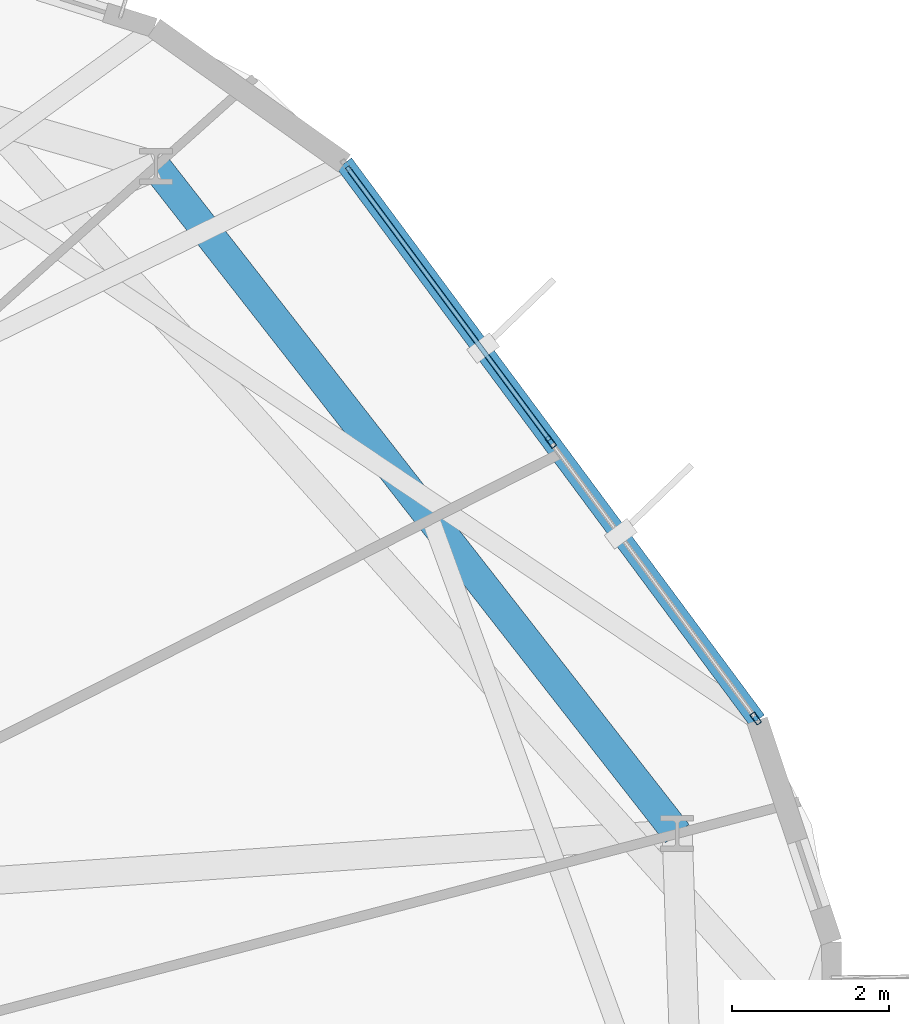
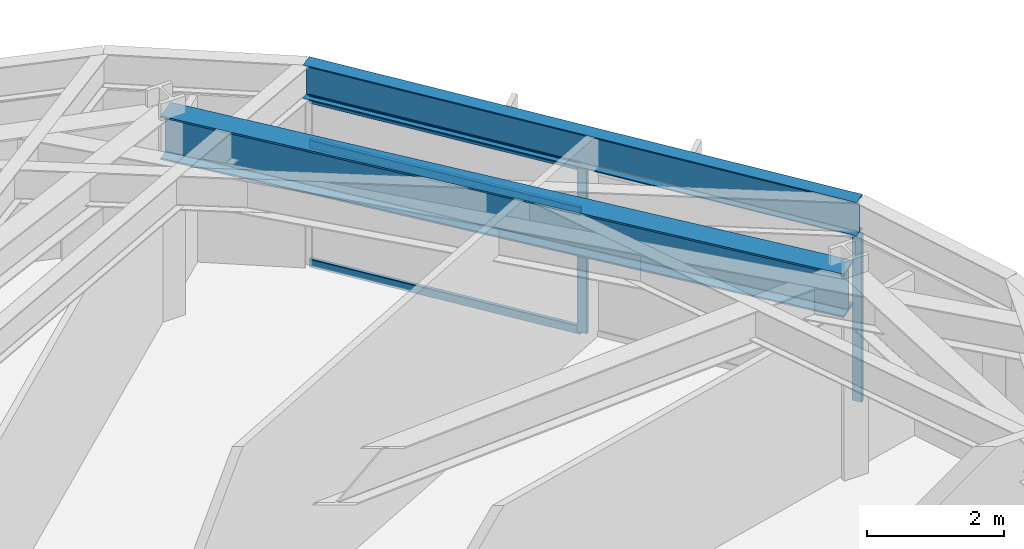
# One storey, part 16 of 27: 5 members, 2 beams, 1 element without a shape of its own.
"""IFC4 building model written with IfcOpenShell, lengths in metres."""

from ifc_helpers import new_model, si_unit, direction, frame, origin, origin_2d, place, context, subcontext, project, spatial, hollow_rectangle, i_section, extrude, material, layer, layer_set, material_profile, profile_set, type_object, element, aggregate, save


model = new_model("IFC4")

# Units and contexts
model_context = context("Model", 3, precision=1e-05, world=origin(), true_north=direction((0.0, 1.0)))
body_context = subcontext(model_context, "Body", "Model", "MODEL_VIEW")
ifc_project = project(units=[si_unit("LENGTHUNIT", "METRE"), si_unit("AREAUNIT", "SQUARE_METRE"), si_unit("VOLUMEUNIT", "CUBIC_METRE"), si_unit("PLANEANGLEUNIT", "RADIAN"), si_unit("MASSUNIT", "GRAM", prefix="KILO")], contexts=[model_context])

# Site, building, storey
site_placement = place(None, origin())
site = spatial("IfcSite", under=ifc_project, at=site_placement, CompositionType="ELEMENT")
building_placement = place(site_placement, origin())
building = spatial("IfcBuilding", under=site, at=building_placement, Name="Soratama Intermodal Tower", CompositionType="ELEMENT")
storey_placement = place(building_placement, frame((0.0, 0.0, 103.0)))
storey = spatial("IfcBuildingStorey", under=building, at=storey_placement, Name="L24", CompositionType="ELEMENT", Elevation=103.0)

# Beams
ifc_material_1 = material(Name="Structural steel ASTM A992 Grade 50", Category="steel")
ifc_material_profile_1 = material_profile(ifc_material_1, i_section(OverallWidth=0.382080078125, OverallDepth=0.779052734375, WebThickness=0.01806640625, FlangeThickness=0.030029296875, FilletRadius=0.01806640625, at=origin_2d()), Name="W30X191")
ifc_profile_set_1 = profile_set([ifc_material_profile_1], Name="Structural steel ASTM A992 Grade 50")
beam_type_1 = type_object("IfcBeamType", Name="BM-RING-W30X191", PredefinedType="BEAM", material=ifc_profile_set_1)
beam_1_placement = place(storey_placement, frame((61.35107421875, 30.950927734375, 3.21044921875), z_axis=(-0.615683690883, 0.787993396407, 0.0), x_axis=(-0.787993396407, -0.615683690883, 0.0)))
element("IfcBeam", 1, at=beam_1_placement, inside=storey, type_object=beam_type_1, Name="BM-L24-RING-01", PredefinedType="BEAM", context=body_context, shape_type="SweptSolid", body=[
    extrude(i_section(OverallWidth=0.382080078125, OverallDepth=0.779052734375, WebThickness=0.01806640625, FlangeThickness=0.030029296875, FilletRadius=0.01806640625, at=origin_2d()), origin(), (0.0, 0.0, 1.0), 10.754150390625),
])
ifc_material_2 = material(Name="Structural steel ASTM A992 Grade 50", Category="steel")
ifc_material_profile_2 = material_profile(ifc_material_2, i_section(OverallWidth=0.22900390625, OverallDepth=0.612060546875, WebThickness=0.011962890625, FlangeThickness=0.01953125, FilletRadius=0.012939453125, at=origin_2d()), Name="W24X84")
ifc_profile_set_2 = profile_set([ifc_material_profile_2], Name="Structural steel ASTM A992 Grade 50")
beam_type_2 = type_object("IfcBeamType", Name="BM-SPN-W24X84", PredefinedType="SPANDREL", material=ifc_profile_set_2)
beam_2_placement = place(storey_placement, frame((62.365966796875, 32.388916015625, 3.2939453125), z_axis=(-0.595376720511, 0.803446675688, 0.0), x_axis=(-0.803446675688, -0.595376720511, 0.0)))
element("IfcBeam", 2, at=beam_2_placement, inside=storey, type_object=beam_type_2, Name="BS-L24-F01", PredefinedType="SPANDREL", context=body_context, shape_type="SweptSolid", body=[
    extrude(i_section(OverallWidth=0.22900390625, OverallDepth=0.612060546875, WebThickness=0.011962890625, FlangeThickness=0.01953125, FilletRadius=0.012939453125, at=origin_2d()), origin(), (0.0, 0.0, 1.0), 8.80615234375),
])

# Curtain wall, members
ifc_material_3 = material(Name="Double-glazed aluminium curtain wall", Category="aluminium")
ifc_layer = layer(ifc_material_3, 0.159912109375)
ifc_layer_set = layer_set([ifc_layer], Name="Double-glazed aluminium curtain wall")
curtain_wall_type = type_object("IfcCurtainWallType", Name="CW-SYS-3", PredefinedType="NOTDEFINED", material=ifc_layer_set)
curtain_wall_placement = place(storey_placement, origin())
curtain_wall = element("IfcCurtainWall", 3, at=curtain_wall_placement, inside=storey, type_object=curtain_wall_type, Name="L24 Faceted Curtain Wall F01", PredefinedType="NOTDEFINED")
ifc_material_4 = material(Name="Anodised aluminium AA 6063-T6", Category="aluminium")
ifc_material_profile_3 = material_profile(ifc_material_4, hollow_rectangle(XDim=0.070068359375, YDim=0.159912109375, WallThickness=0.0048828125, InnerFilletRadius=0.0048828125, OuterFilletRadius=0.010009765625, at=origin_2d()), Name="CWM160X70X5")
ifc_profile_set_3 = profile_set([ifc_material_profile_3], Name="Anodised aluminium AA 6063-T6")
member_type_1 = type_object("IfcMemberType", Name="MT-CWM-3", PredefinedType="MULLION", material=ifc_profile_set_3)
member_1_placement = place(storey_placement, frame((62.348388671875, 32.41259765625, 0.0), z_axis=(0.0, 0.0, 1.0), x_axis=(-0.803442319761, -0.595382598685, 0.0)))
member_1 = element("IfcMember", 4, at=member_1_placement, type_object=member_type_1, Name="CW-3 mullion 1", PredefinedType="MULLION", context=body_context, shape_type="SweptSolid", body=[
    extrude(hollow_rectangle(XDim=0.070068359375, YDim=0.159912109375, WallThickness=0.0048828125, InnerFilletRadius=0.0048828125, OuterFilletRadius=0.010009765625, at=origin_2d()), origin(), (0.0, 0.0, 1.0), 2.97900390625),
])
member_2_placement = place(storey_placement, frame((59.74462890625, 35.926513671875, 0.0), z_axis=(0.0, 0.0, 1.0), x_axis=(-0.803442319761, -0.595382598685, 0.0)))
member_2 = element("IfcMember", 5, at=member_2_placement, type_object=member_type_1, Name="CW-3 mullion 2", PredefinedType="MULLION", context=body_context, shape_type="SweptSolid", body=[
    extrude(hollow_rectangle(XDim=0.070068359375, YDim=0.159912109375, WallThickness=0.0048828125, InnerFilletRadius=0.0048828125, OuterFilletRadius=0.010009765625, at=origin_2d()), origin(), (0.0, 0.0, 1.0), 2.97900390625),
])
ifc_material_5 = material(Name="Anodised aluminium AA 6063-T6", Category="aluminium")
ifc_material_profile_4 = material_profile(ifc_material_5, hollow_rectangle(XDim=0.06494140625, YDim=0.14990234375, WallThickness=0.0048828125, InnerFilletRadius=0.0048828125, OuterFilletRadius=0.010009765625, at=origin_2d()), Name="CWT150X65X5")
ifc_profile_set_4 = profile_set([ifc_material_profile_4], Name="Anodised aluminium AA 6063-T6")
member_type_2 = type_object("IfcMemberType", Name="TT-CWT-1", PredefinedType="USERDEFINED", material=ifc_profile_set_4)
member_3_placement = place(storey_placement, frame((59.726806640625, 35.950439453125, 0.030029296875), z_axis=(-0.59538049651, 0.803443877552, 0.0), x_axis=(-0.803443877552, -0.59538049651, 0.0)))
member_3 = element("IfcMember", 6, at=member_3_placement, type_object=member_type_2, Name="CW-3 transom 2.1", ObjectType="TRANSOM", PredefinedType="USERDEFINED", context=body_context, shape_type="SweptSolid", body=[
    extrude(hollow_rectangle(XDim=0.06494140625, YDim=0.14990234375, WallThickness=0.0048828125, InnerFilletRadius=0.0048828125, OuterFilletRadius=0.010009765625, at=origin_2d()), origin(), (0.0, 0.0, 1.0), 4.3134765625),
])
member_4_placement = place(storey_placement, frame((59.726806640625, 35.950439453125, 2.14990234375), z_axis=(-0.59538049651, 0.803443877552, 0.0), x_axis=(-0.803443877552, -0.59538049651, 0.0)))
member_4 = element("IfcMember", 7, at=member_4_placement, type_object=member_type_2, Name="CW-3 transom 2.2", ObjectType="TRANSOM", PredefinedType="USERDEFINED", context=body_context, shape_type="SweptSolid", body=[
    extrude(hollow_rectangle(XDim=0.06494140625, YDim=0.14990234375, WallThickness=0.0048828125, InnerFilletRadius=0.0048828125, OuterFilletRadius=0.010009765625, at=origin_2d()), origin(), (0.0, 0.0, 1.0), 4.3134765625),
])
member_5_placement = place(storey_placement, frame((59.726806640625, 35.950439453125, 2.948974609375), z_axis=(-0.59538049651, 0.803443877552, 0.0), x_axis=(-0.803443877552, -0.59538049651, 0.0)))
member_5 = element("IfcMember", 8, at=member_5_placement, type_object=member_type_2, Name="CW-3 transom 2.3", ObjectType="TRANSOM", PredefinedType="USERDEFINED", context=body_context, shape_type="SweptSolid", body=[
    extrude(hollow_rectangle(XDim=0.06494140625, YDim=0.14990234375, WallThickness=0.0048828125, InnerFilletRadius=0.0048828125, OuterFilletRadius=0.010009765625, at=origin_2d()), origin(), (0.0, 0.0, 1.0), 4.3134765625),
])
aggregate(curtain_wall, [member_1, member_2, member_3, member_4, member_5])

save(model, "model.ifc")
